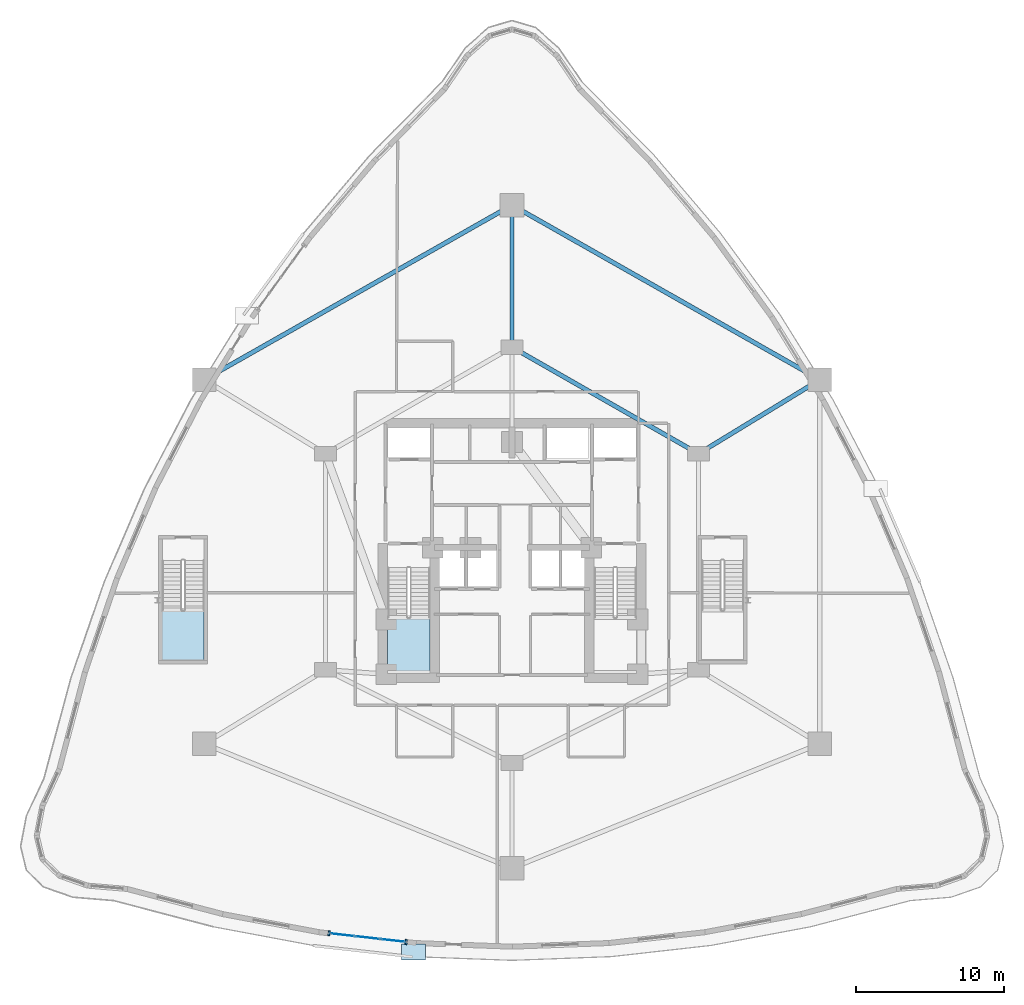
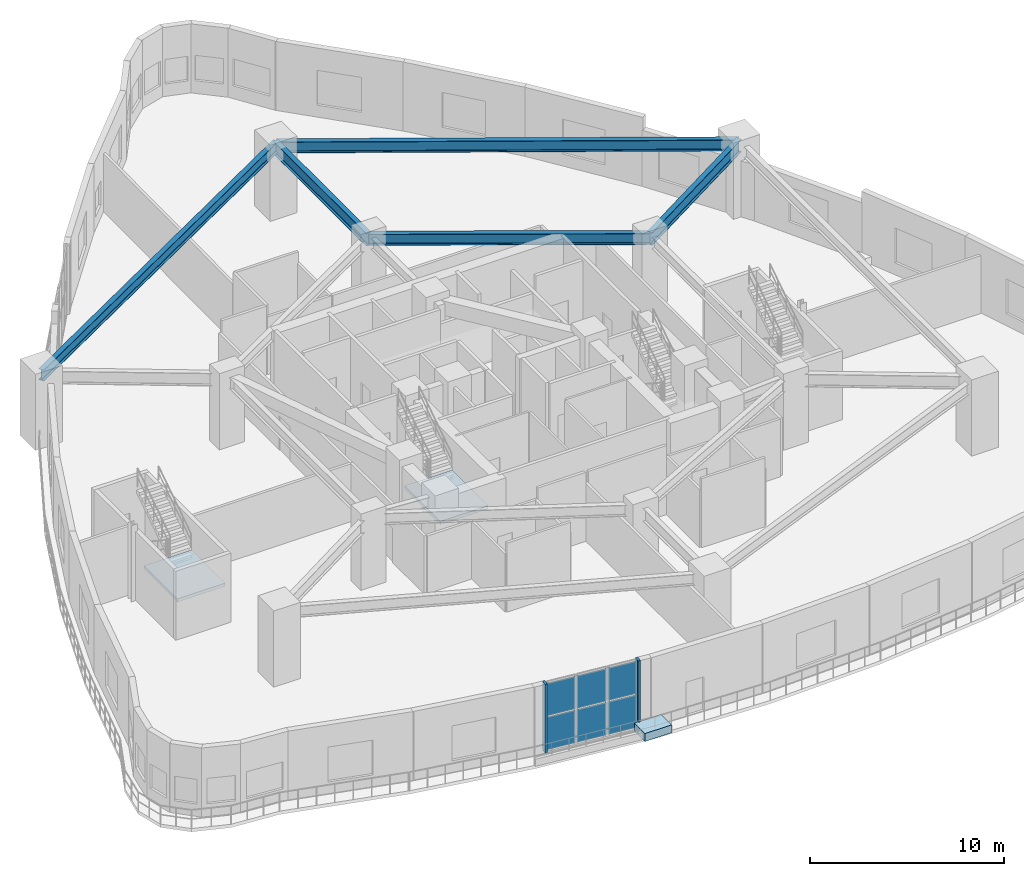
# One storey, part 9 of 19: 8 plates, 5 beams, 3 slabs, 3 elements without a shape of their own.
"""IFC4 building model written with IfcOpenShell, lengths in metres."""

from ifc_helpers import new_model, si_unit, direction, frame, origin, origin_2d, place, context, subcontext, project, spatial, polyline, rectangle, i_section, outline, extrude, material, layer, layer_set, material_profile, profile_set, type_object, element, aggregate, save


model = new_model("IFC4")

# Units and contexts
model_context = context("Model", 3, precision=1e-05, world=origin(), true_north=direction((0.0, 1.0)))
body_context = subcontext(model_context, "Body", "Model", "MODEL_VIEW")
ifc_project = project(units=[si_unit("LENGTHUNIT", "METRE"), si_unit("AREAUNIT", "SQUARE_METRE"), si_unit("VOLUMEUNIT", "CUBIC_METRE"), si_unit("PLANEANGLEUNIT", "RADIAN"), si_unit("MASSUNIT", "GRAM", prefix="KILO")], contexts=[model_context])

# Site, building, storey
site_placement = place(None, origin())
site = spatial("IfcSite", under=ifc_project, at=site_placement, CompositionType="ELEMENT")
building_placement = place(site_placement, origin())
building = spatial("IfcBuilding", under=site, at=building_placement, Name="Miruveldt Soraemaru", CompositionType="ELEMENT")
storey_placement = place(building_placement, frame((0.0, 0.0, 19.199951171875)))
storey = spatial("IfcBuildingStorey", under=building, at=storey_placement, Name="L05", CompositionType="ELEMENT", Elevation=19.199951171875)

# Beams
ifc_material_1 = material(Name="Steel SM355 (355 MPa)", Category="steel")
ifc_material_profile_1 = material_profile(ifc_material_1, i_section(OverallWidth=0.300048828125, OverallDepth=0.699951171875, WebThickness=0.012939453125, FlangeThickness=0.02392578125, FilletRadius=0.028076171875, at=origin_2d()), Name="Steel SM355 (355 MPa)", Category="steel")
ifc_profile_set_1 = profile_set([ifc_material_profile_1], Name="Steel SM355 (355 MPa)")
beam_type_1 = type_object("IfcBeamType", Name="BM-ST-H700", PredefinedType="BEAM", material=ifc_profile_set_1)
beam_1_placement = place(storey_placement, frame((44.0, 57.60009765625, 4.0), z_axis=(0.868239001029, -0.496146185203, 0.0), x_axis=(0.496146185203, 0.868239001029, 0.0)))
element("IfcBeam", 1, at=beam_1_placement, inside=storey, type_object=beam_type_1, Name="L05 Inner Ring Girder 1", PredefinedType="BEAM", context=body_context, shape_type="SweptSolid", body=[
    extrude(i_section(OverallWidth=0.300048828125, OverallDepth=0.699951171875, WebThickness=0.012939453125, FlangeThickness=0.02392578125, FilletRadius=0.028076171875, at=origin_2d()), origin(), (0.0, 0.0, 1.0), 14.51220703125),
])
for number, where, z_axis, x_axis, name in (
    (2, (44.0, 67.199951171875, 4.0), (0.869782551993, -0.493435215858, 0.0), (0.493435215858, 0.869782551993, 0.0), "L05 Podium Ring Girder 1"),
    (3, (23.199951171875, 55.39990234375, 4.0), (0.869782551993, 0.493435215858, 0.0), (-0.493435215858, 0.869782551993, 0.0), "L05 Podium Ring Girder 6"),
):
    element("IfcBeam", number, at=place(storey_placement, frame(where, z_axis=z_axis, x_axis=x_axis)), inside=storey, type_object=beam_type_1, Name=name, PredefinedType="BEAM", context=body_context, shape_type="SweptSolid", body=[
        extrude(i_section(OverallWidth=0.300048828125, OverallDepth=0.699951171875, WebThickness=0.012939453125, FlangeThickness=0.02392578125, FilletRadius=0.028076171875, at=origin_2d()), origin(), (0.0, 0.0, 1.0), 23.9140625),
    ])
ifc_material_2 = material(Name="Steel S460 (460 MPa)", Category="steel")
ifc_material_profile_2 = material_profile(ifc_material_2, i_section(OverallWidth=0.300048828125, OverallDepth=0.800048828125, WebThickness=0.013916015625, FlangeThickness=0.02587890625, FilletRadius=0.028076171875, at=origin_2d()), Name="Steel S460 (460 MPa)", Category="steel")
ifc_profile_set_2 = profile_set([ifc_material_profile_2], Name="Steel S460 (460 MPa)")
beam_type_2 = type_object("IfcBeamType", Name="BM-ST-H800", PredefinedType="BEAM", material=ifc_profile_set_2)
beam_2_placement = place(storey_placement, frame((44.0, 57.60009765625, 3.949951171875), z_axis=(0.0, 1.0, 0.0), x_axis=(-1.0, 0.0, 0.0)))
element("IfcBeam", 4, at=beam_2_placement, inside=storey, type_object=beam_type_2, Name="L05 Podium Radial Girder 1", PredefinedType="BEAM", context=body_context, shape_type="SweptSolid", body=[
    extrude(i_section(OverallWidth=0.300048828125, OverallDepth=0.800048828125, WebThickness=0.013916015625, FlangeThickness=0.02587890625, FilletRadius=0.028076171875, at=origin_2d()), origin(), (0.0, 0.0, 1.0), 9.599853515625),
])
beam_3_placement = place(storey_placement, frame((56.60009765625, 50.39990234375, 3.949951171875), z_axis=(0.853794797843, 0.520609684098, 0.0), x_axis=(-0.520609684098, 0.853794797843, 0.0)))
element("IfcBeam", 5, at=beam_3_placement, inside=storey, type_object=beam_type_2, Name="L05 Podium Radial Girder 2", PredefinedType="BEAM", context=body_context, shape_type="SweptSolid", body=[
    extrude(i_section(OverallWidth=0.300048828125, OverallDepth=0.800048828125, WebThickness=0.013916015625, FlangeThickness=0.02587890625, FilletRadius=0.028076171875, at=origin_2d()), origin(), (0.0, 0.0, 1.0), 9.60400390625),
])

# Curtain wall, plates
ifc_material_3 = material(Name="Anodised aluminium EN AW-6063 T6", Category="aluminium")
ifc_layer_1 = layer(ifc_material_3, 0.219970703125, Name="Anodised aluminium EN AW-6063 T6", Category="aluminium")
ifc_layer_set_1 = layer_set([ifc_layer_1], Name="Anodised aluminium EN AW-6063 T6")
curtain_wall_type = type_object("IfcCurtainWallType", Name="CW-SYS-2", PredefinedType="USERDEFINED", material=ifc_layer_set_1)
curtain_wall_placement = place(storey_placement, origin())
curtain_wall = element("IfcCurtainWall", 6, at=curtain_wall_placement, inside=storey, type_object=curtain_wall_type, Name="L05 Curtain Wall Bay 23", ObjectType="STOREFRONT", PredefinedType="USERDEFINED")
ifc_material_4 = material(Name="Triple low-e insulated glazing", Category="glass")
ifc_layer_2 = layer(ifc_material_4, 0.031982421875, Name="Triple low-e insulated glazing", Category="glass")
ifc_layer_set_2 = layer_set([ifc_layer_2], Name="Triple low-e insulated glazing")
plate_type_1 = type_object("IfcPlateType", Name="CWP-2", PredefinedType="CURTAIN_PANEL", material=ifc_layer_set_2)
plate_1_placement = place(storey_placement, frame((32.52392578125, 17.894287109375, 0.074951171875), z_axis=(0.0, 0.0, 1.0), x_axis=(0.993730760252, -0.111799714352, 0.0)))
plate_1 = element("IfcPlate", 7, at=plate_1_placement, type_object=plate_type_1, Name="CW-2 panel 1.1", PredefinedType="CURTAIN_PANEL", context=body_context, shape_type="SweptSolid", body=[
    extrude(rectangle(XDim=1.63623046875, YDim=0.031982421875, at=origin_2d()), origin(), (0.0, 0.0, 1.0), 2.0625),
])
plate_2_placement = place(storey_placement, frame((32.52392578125, 17.894287109375, 2.212646484375), z_axis=(0.0, 0.0, 1.0), x_axis=(0.993730760252, -0.111799714352, 0.0)))
plate_2 = element("IfcPlate", 8, at=plate_2_placement, type_object=plate_type_1, Name="CW-2 panel 1.2", PredefinedType="CURTAIN_PANEL", context=body_context, shape_type="SweptSolid", body=[
    extrude(rectangle(XDim=1.63623046875, YDim=0.031982421875, at=origin_2d()), origin(), (0.0, 0.0, 1.0), 2.0625),
])
plate_3_placement = place(storey_placement, frame((34.2431640625, 17.700927734375, 0.074951171875), z_axis=(0.0, 0.0, 1.0), x_axis=(0.993730760252, -0.111799714352, 0.0)))
plate_3 = element("IfcPlate", 9, at=plate_3_placement, type_object=plate_type_1, Name="CW-2 panel 2.1", PredefinedType="CURTAIN_PANEL", context=body_context, shape_type="SweptSolid", body=[
    extrude(rectangle(XDim=1.673583984375, YDim=0.031982421875, at=origin_2d()), origin(), (0.0, 0.0, 1.0), 2.0625),
])
plate_4_placement = place(storey_placement, frame((34.2431640625, 17.700927734375, 2.212646484375), z_axis=(0.0, 0.0, 1.0), x_axis=(0.993730760252, -0.111799714352, 0.0)))
plate_4 = element("IfcPlate", 10, at=plate_4_placement, type_object=plate_type_1, Name="CW-2 panel 2.2", PredefinedType="CURTAIN_PANEL", context=body_context, shape_type="SweptSolid", body=[
    extrude(rectangle(XDim=1.673583984375, YDim=0.031982421875, at=origin_2d()), origin(), (0.0, 0.0, 1.0), 2.0625),
])
plate_5_placement = place(storey_placement, frame((35.962158203125, 17.507568359375, 0.074951171875), z_axis=(0.0, 0.0, 1.0), x_axis=(0.993730760252, -0.111799714352, 0.0)))
plate_5 = element("IfcPlate", 11, at=plate_5_placement, type_object=plate_type_1, Name="CW-2 panel 3.1", PredefinedType="CURTAIN_PANEL", context=body_context, shape_type="SweptSolid", body=[
    extrude(rectangle(XDim=1.63623046875, YDim=0.031982421875, at=origin_2d()), origin(), (0.0, 0.0, 1.0), 2.0625),
])
plate_6_placement = place(storey_placement, frame((35.962158203125, 17.507568359375, 2.212646484375), z_axis=(0.0, 0.0, 1.0), x_axis=(0.993730760252, -0.111799714352, 0.0)))
plate_6 = element("IfcPlate", 12, at=plate_6_placement, type_object=plate_type_1, Name="CW-2 panel 3.2", PredefinedType="CURTAIN_PANEL", context=body_context, shape_type="SweptSolid", body=[
    extrude(rectangle(XDim=1.63623046875, YDim=0.031982421875, at=origin_2d()), origin(), (0.0, 0.0, 1.0), 2.0625),
])
aggregate(curtain_wall, [plate_1, plate_2, plate_3, plate_4, plate_5, plate_6])

# Plates
ifc_layer_3 = layer(ifc_material_3, 0.030029296875, Name="Anodised aluminium EN AW-6063 T6", Category="aluminium")
ifc_layer_set_3 = layer_set([ifc_layer_3], Name="Anodised aluminium EN AW-6063 T6")
plate_type_2 = type_object("IfcPlateType", Name="PLT-JAMB-30", PredefinedType="SHEET", material=ifc_layer_set_3)
for number, where, z_axis, x_axis, name in (
    (13, (31.636474609375, 17.994140625, 0.0), (0.0, 0.0, 1.0), (0.993730900023, -0.111798471993, 0.0), "L05 Curtain Wall Jamb Closure Trim 23JL"),
    (14, (36.849609375, 17.40771484375, 0.0), (0.0, 0.0, 1.0), (0.993730900023, -0.111798471993, 0.0), "L05 Curtain Wall Jamb Closure Trim 23JR"),
):
    element("IfcPlate", number, at=place(storey_placement, frame(where, z_axis=z_axis, x_axis=x_axis)), inside=storey, type_object=plate_type_2, Name=name, PredefinedType="SHEET", context=body_context, shape_type="SweptSolid", body=[
        extrude(rectangle(XDim=0.139892578125, YDim=0.340087890625, at=origin_2d()), origin(), (0.0, 0.0, 1.0), 4.35009765625),
    ])

# Stair, slab
ifc_material_5 = material(Name="Concrete C40/50 (40 MPa)", Category="concrete")
stair_type = type_object("IfcStairType", Name="STAIR-DL-480", PredefinedType="HALF_TURN_STAIR", material=ifc_material_5)
stair_1_placement = place(storey_placement, origin())
stair_1 = element("IfcStair", 15, at=stair_1_placement, inside=storey, type_object=stair_type, Name="L05 Protected Exit Stair ST-1", PredefinedType="HALF_TURN_STAIR")
ifc_layer_4 = layer(ifc_material_5, 0.199951171875, Name="Concrete C40/50 (40 MPa)", Category="concrete")
ifc_layer_set_4 = layer_set([ifc_layer_4], Name="Concrete C40/50 (40 MPa)")
slab_type_1 = type_object("IfcSlabType", Name="SLAB-LAND-200", PredefinedType="LANDING", material=ifc_layer_set_4)
slab_1_placement = place(storey_placement, frame((0.0, 0.0, 2.199951171875)))
slab_1 = element("IfcSlab", 16, at=slab_1_placement, type_object=slab_type_1, Name="ST-1 landing 1", PredefinedType="LANDING", context=body_context, shape_type="SweptSolid", body=[
    extrude(outline(polyline([(35.60009765625, 39.35791015625), (35.60009765625, 35.64990234375), (38.449951171875, 35.64990234375), (38.449951171875, 39.35791015625), (35.60009765625, 39.35791015625)])), origin(), (0.0, 0.0, 1.0), 0.2001953125),
])
aggregate(stair_1, [slab_1])

stair_2_placement = place(storey_placement, origin())
stair_2 = element("IfcStair", 17, at=stair_2_placement, inside=storey, type_object=stair_type, Name="L05 Podium Protected Exit Stair ST-3", PredefinedType="HALF_TURN_STAIR")
slab_2_placement = place(storey_placement, frame((0.0, 0.0, 2.199951171875)))
slab_2 = element("IfcSlab", 18, at=slab_2_placement, type_object=slab_type_1, Name="ST-3 landing 1", PredefinedType="LANDING", context=body_context, shape_type="SweptSolid", body=[
    extrude(outline(polyline([(20.35009765625, 39.85791015625), (20.35009765625, 36.39990234375), (23.199951171875, 36.39990234375), (23.199951171875, 39.85791015625), (20.35009765625, 39.85791015625)])), origin(), (0.0, 0.0, 1.0), 0.2001953125),
])
aggregate(stair_2, [slab_2])

# Slab
ifc_material_6 = material(Name="Precast concrete C45/55 (45 MPa)", Category="concrete")
ifc_layer_5 = layer(ifc_material_6, 0.179931640625, Name="Precast concrete C45/55 (45 MPa)", Category="concrete")
ifc_layer_set_5 = layer_set([ifc_layer_5], Name="Precast concrete C45/55 (45 MPa)")
slab_type_2 = type_object("IfcSlabType", Name="SLAB-PLTR-180", PredefinedType="USERDEFINED", material=ifc_layer_set_5)
slab_3_placement = place(storey_placement, origin())
element("IfcSlab", 19, at=slab_3_placement, inside=storey, type_object=slab_type_2, Name="L05 Terrace Planter Bed PLANTER 2", ObjectType="PLANTER", PredefinedType="USERDEFINED", context=body_context, shape_type="SweptSolid", body=[
    extrude(outline(polyline([(36.550048828125, 16.179931640625), (38.14990234375, 16.179931640625), (38.14990234375, 17.280029296875), (36.550048828125, 17.280029296875), (36.550048828125, 16.179931640625)])), origin(), (0.0, 0.0, 1.0), 0.5),
])

save(model, "model.ifc")
